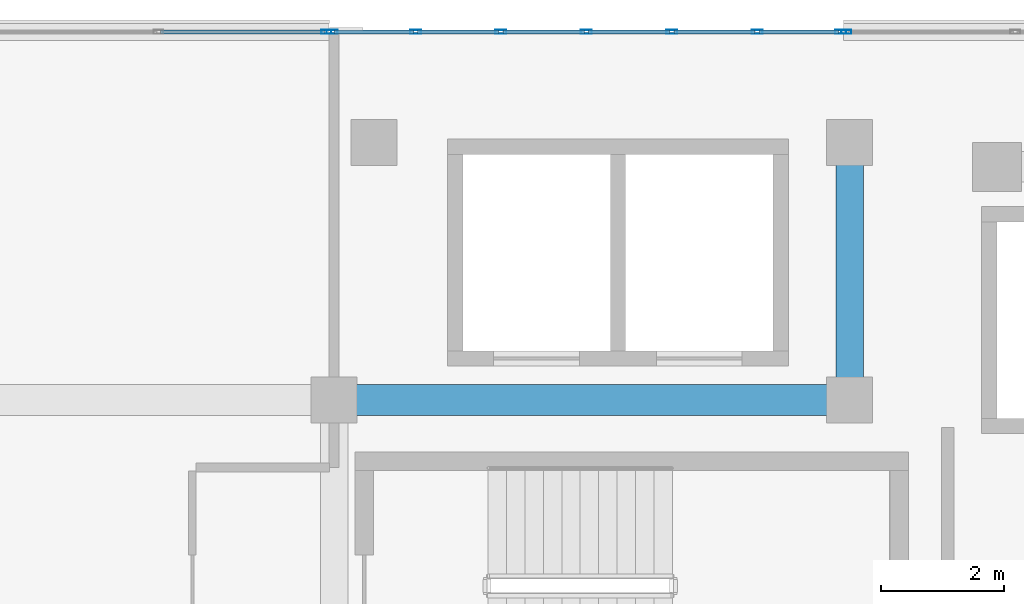
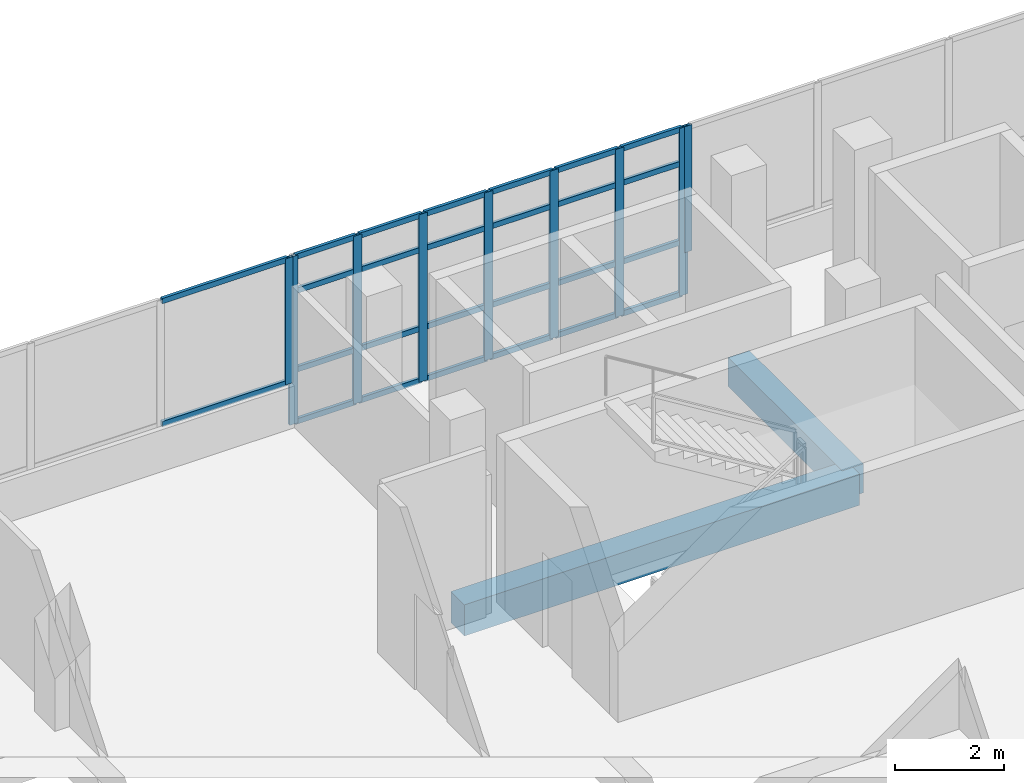
# One storey, part 39 of 101: 35 members, 2 beams, 3 elements without a shape of their own.
"""IFC4 building model written with IfcOpenShell, lengths in metres."""

from ifc_helpers import new_model, si_unit, direction, frame, origin, origin_2d, place, context, subcontext, project, spatial, rectangle, hollow_rectangle, extrude, material, material_profile, profile_set, type_object, element, aggregate, save


model = new_model("IFC4")

# Units and contexts
model_context = context("Model", 3, precision=1e-05, world=origin(), true_north=direction((0.0, 1.0)))
body_context = subcontext(model_context, "Body", "Model", "MODEL_VIEW")
ifc_project = project(units=[si_unit("LENGTHUNIT", "METRE"), si_unit("AREAUNIT", "SQUARE_METRE"), si_unit("VOLUMEUNIT", "CUBIC_METRE"), si_unit("PLANEANGLEUNIT", "RADIAN"), si_unit("MASSUNIT", "GRAM", prefix="KILO")], contexts=[model_context])

# Site, building, storey
site_placement = place(None, origin())
site = spatial("IfcSite", under=ifc_project, at=site_placement, CompositionType="ELEMENT")
building_placement = place(site_placement, origin())
building = spatial("IfcBuilding", under=site, at=building_placement, Name="Selatvlak General Hospital", CompositionType="ELEMENT")
storey_placement = place(building_placement, frame((0.0, 0.0, 19.199951171875)))
storey = spatial("IfcBuildingStorey", under=building, at=storey_placement, Name="L04", CompositionType="ELEMENT", Elevation=19.199951171875)

# Beams
ifc_material_1 = material(Name="Concrete C40/50", Category="concrete")
ifc_material_profile_1 = material_profile(ifc_material_1, rectangle(XDim=0.5, YDim=0.699951171875, at=origin_2d()), Name="RC-BM 500x700")
ifc_profile_set_1 = profile_set([ifc_material_profile_1], Name="Concrete C40/50")
beam_type_1 = type_object("IfcBeamType", Name="BM-G03", PredefinedType="BEAM", material=ifc_profile_set_1)
beam_1_placement = place(storey_placement, frame((48.0, 114.0, -0.655029296875), z_axis=(1.0, 0.0, 0.0), x_axis=(0.0, 1.0, 0.0)))
element("IfcBeam", 1, at=beam_1_placement, inside=storey, type_object=beam_type_1, Name="Beam BMR-L04-1617", PredefinedType="BEAM", context=body_context, shape_type="SweptSolid", body=[
    extrude(rectangle(XDim=0.5, YDim=0.699951171875, at=origin_2d()), origin(), (0.0, 0.0, 1.0), 8.39990234375),
])
ifc_material_profile_2 = material_profile(ifc_material_1, rectangle(XDim=0.449951171875, YDim=0.64990234375, at=origin_2d()), Name="RC-BM 450x650")
ifc_profile_set_2 = profile_set([ifc_material_profile_2], Name="Concrete C40/50")
beam_type_2 = type_object("IfcBeamType", Name="BM-G04", PredefinedType="BEAM", material=ifc_profile_set_2)
beam_2_placement = place(storey_placement, frame((56.39990234375, 114.0, -0.6298828125), z_axis=(0.0, 1.0, 0.0), x_axis=(-1.0, 0.0, 0.0)))
element("IfcBeam", 2, at=beam_2_placement, inside=storey, type_object=beam_type_2, Name="Beam BMR-L04-1666", PredefinedType="BEAM", context=body_context, shape_type="SweptSolid", body=[
    extrude(rectangle(XDim=0.449951171875, YDim=0.64990234375, at=origin_2d()), origin(), (0.0, 0.0, 1.0), 4.199951171875),
])

# Curtain wall, member
ifc_material_2 = material(Name="Solar-control Low-E double glazing", Category="glass")
curtain_wall_type_1 = type_object("IfcCurtainWallType", Name="CW-CW-01", PredefinedType="USERDEFINED", material=ifc_material_2)
curtain_wall_1_placement = place(storey_placement, origin())
curtain_wall_1 = element("IfcCurtainWall", 3, at=curtain_wall_1_placement, inside=storey, type_object=curtain_wall_type_1, Name="Glazed facade curtain wall CW-L04-0483", ObjectType="UNITISED CURTAIN WALL", PredefinedType="USERDEFINED")
ifc_material_3 = material(Name="Dark anodised aluminium mullion", Category="aluminium")
ifc_material_profile_3 = material_profile(ifc_material_3, hollow_rectangle(XDim=0.06494140625, YDim=0.159912109375, WallThickness=0.00390625, at=origin_2d()), Name="AL-MUL 65x160x4")
ifc_profile_set_3 = profile_set([ifc_material_profile_3], Name="Dark anodised aluminium mullion")
member_type_1 = type_object("IfcMemberType", Name="CWM-01", PredefinedType="MULLION", material=ifc_profile_set_3)
member_1_placement = place(storey_placement, frame((47.87255859375, 119.9990234375, 0.93994140625), z_axis=(0.0, 0.0, 1.0), x_axis=(0.0, 1.0, 0.0)))
member_1 = element("IfcMember", 4, at=member_1_placement, type_object=member_type_1, Name="CW-01 mullion 4", PredefinedType="MULLION", context=body_context, shape_type="SweptSolid", body=[
    extrude(hollow_rectangle(XDim=0.06494140625, YDim=0.159912109375, WallThickness=0.00390625, at=origin_2d()), origin(), (0.0, 0.0, 1.0), 2.830078125),
])

curtain_wall_2_placement = place(storey_placement, origin())
curtain_wall_2 = element("IfcCurtainWall", 5, at=curtain_wall_2_placement, inside=storey, type_object=curtain_wall_type_1, Name="Glazed facade curtain wall CW-L04-0485", ObjectType="UNITISED CURTAIN WALL", PredefinedType="USERDEFINED")
member_2_placement = place(storey_placement, frame((56.347412109375, 119.9990234375, 0.93994140625), z_axis=(0.0, 0.0, 1.0), x_axis=(0.0, 1.0, 0.0)))
member_2 = element("IfcMember", 6, at=member_2_placement, type_object=member_type_1, Name="CW-01 mullion 1", PredefinedType="MULLION", context=body_context, shape_type="SweptSolid", body=[
    extrude(hollow_rectangle(XDim=0.06494140625, YDim=0.159912109375, WallThickness=0.00390625, at=origin_2d()), origin(), (0.0, 0.0, 1.0), 2.830078125),
])
aggregate(curtain_wall_2, [member_2])

# Curtain wall, members
curtain_wall_type_2 = type_object("IfcCurtainWallType", Name="CW-CW-04", PredefinedType="USERDEFINED", material=ifc_material_2)
curtain_wall_3_placement = place(storey_placement, origin())
curtain_wall_3 = element("IfcCurtainWall", 7, at=curtain_wall_3_placement, inside=storey, type_object=curtain_wall_type_2, Name="Glazed facade curtain wall CW-L04-0484", ObjectType="STICK GLAZING WALL", PredefinedType="USERDEFINED")
ifc_material_profile_4 = material_profile(ifc_material_3, hollow_rectangle(XDim=0.06494140625, YDim=0.179931640625, WallThickness=0.00439453125, at=origin_2d()), Name="AL-MUL 65x180x4.5")
ifc_profile_set_4 = profile_set([ifc_material_profile_4], Name="Dark anodised aluminium mullion")
member_type_2 = type_object("IfcMemberType", Name="CWM-02", PredefinedType="MULLION", material=ifc_profile_set_4)
member_3_placement = place(storey_placement, frame((47.967529296875, 119.9990234375, 0.0), z_axis=(0.0, 0.0, 1.0), x_axis=(0.0, 1.0, 0.0)))
member_3 = element("IfcMember", 8, at=member_3_placement, type_object=member_type_2, Name="CW-04 mullion 1", PredefinedType="MULLION", context=body_context, shape_type="SweptSolid", body=[
    extrude(hollow_rectangle(XDim=0.06494140625, YDim=0.179931640625, WallThickness=0.00439453125, at=origin_2d()), origin(), (0.0, 0.0, 1.0), 3.77001953125),
])
member_4_placement = place(storey_placement, frame((49.32666015625, 119.9990234375, 0.0), z_axis=(0.0, 0.0, 1.0), x_axis=(0.0, 1.0, 0.0)))
member_4 = element("IfcMember", 9, at=member_4_placement, type_object=member_type_2, Name="CW-04 mullion 2", PredefinedType="MULLION", context=body_context, shape_type="SweptSolid", body=[
    extrude(hollow_rectangle(XDim=0.06494140625, YDim=0.179931640625, WallThickness=0.00439453125, at=origin_2d()), origin(), (0.0, 0.0, 1.0), 3.77001953125),
])
member_5_placement = place(storey_placement, frame((50.71826171875, 119.9990234375, 0.0), z_axis=(0.0, 0.0, 1.0), x_axis=(0.0, 1.0, 0.0)))
member_5 = element("IfcMember", 10, at=member_5_placement, type_object=member_type_2, Name="CW-04 mullion 3", PredefinedType="MULLION", context=body_context, shape_type="SweptSolid", body=[
    extrude(hollow_rectangle(XDim=0.06494140625, YDim=0.179931640625, WallThickness=0.00439453125, at=origin_2d()), origin(), (0.0, 0.0, 1.0), 3.77001953125),
])
member_6_placement = place(storey_placement, frame((52.110107421875, 119.9990234375, 0.0), z_axis=(0.0, 0.0, 1.0), x_axis=(0.0, 1.0, 0.0)))
member_6 = element("IfcMember", 11, at=member_6_placement, type_object=member_type_2, Name="CW-04 mullion 4", PredefinedType="MULLION", context=body_context, shape_type="SweptSolid", body=[
    extrude(hollow_rectangle(XDim=0.06494140625, YDim=0.179931640625, WallThickness=0.00439453125, at=origin_2d()), origin(), (0.0, 0.0, 1.0), 3.77001953125),
])
member_7_placement = place(storey_placement, frame((53.501708984375, 119.9990234375, 0.0), z_axis=(0.0, 0.0, 1.0), x_axis=(0.0, 1.0, 0.0)))
member_7 = element("IfcMember", 12, at=member_7_placement, type_object=member_type_2, Name="CW-04 mullion 5", PredefinedType="MULLION", context=body_context, shape_type="SweptSolid", body=[
    extrude(hollow_rectangle(XDim=0.06494140625, YDim=0.179931640625, WallThickness=0.00439453125, at=origin_2d()), origin(), (0.0, 0.0, 1.0), 3.77001953125),
])
member_8_placement = place(storey_placement, frame((54.893310546875, 119.9990234375, 0.0), z_axis=(0.0, 0.0, 1.0), x_axis=(0.0, 1.0, 0.0)))
member_8 = element("IfcMember", 13, at=member_8_placement, type_object=member_type_2, Name="CW-04 mullion 6", PredefinedType="MULLION", context=body_context, shape_type="SweptSolid", body=[
    extrude(hollow_rectangle(XDim=0.06494140625, YDim=0.179931640625, WallThickness=0.00439453125, at=origin_2d()), origin(), (0.0, 0.0, 1.0), 3.77001953125),
])
member_9_placement = place(storey_placement, frame((56.25244140625, 119.9990234375, 0.0), z_axis=(0.0, 0.0, 1.0), x_axis=(0.0, 1.0, 0.0)))
member_9 = element("IfcMember", 14, at=member_9_placement, type_object=member_type_2, Name="CW-04 mullion 7", PredefinedType="MULLION", context=body_context, shape_type="SweptSolid", body=[
    extrude(hollow_rectangle(XDim=0.06494140625, YDim=0.179931640625, WallThickness=0.00439453125, at=origin_2d()), origin(), (0.0, 0.0, 1.0), 3.77001953125),
])

# Member
ifc_material_profile_5 = material_profile(ifc_material_3, hollow_rectangle(XDim=0.06494140625, YDim=0.1201171875, WallThickness=0.00390625, at=origin_2d()), Name="AL-TRN 65x120x4")
ifc_profile_set_5 = profile_set([ifc_material_profile_5], Name="Dark anodised aluminium mullion")
member_type_3 = type_object("IfcMemberType", Name="CWT-01", PredefinedType="USERDEFINED", material=ifc_profile_set_5)
member_10_placement = place(storey_placement, frame((45.1708984375, 119.9990234375, 0.97265625), z_axis=(1.0, 0.0, 0.0), x_axis=(0.0, 1.0, 0.0)))
member_10 = element("IfcMember", 15, at=member_10_placement, type_object=member_type_3, Name="CW-01 transom 3.1", ObjectType="TRANSOM", PredefinedType="USERDEFINED", context=body_context, shape_type="SweptSolid", body=[
    extrude(hollow_rectangle(XDim=0.06494140625, YDim=0.1201171875, WallThickness=0.00390625, at=origin_2d()), origin(), (0.0, 0.0, 1.0), 2.669189453125),
])

member_11_placement = place(storey_placement, frame((45.1708984375, 119.9990234375, 3.737548828125), z_axis=(1.0, 0.0, 0.0), x_axis=(0.0, 1.0, 0.0)))
member_11 = element("IfcMember", 16, at=member_11_placement, type_object=member_type_3, Name="CW-01 transom 3.2", ObjectType="TRANSOM", PredefinedType="USERDEFINED", context=body_context, shape_type="SweptSolid", body=[
    extrude(hollow_rectangle(XDim=0.06494140625, YDim=0.1201171875, WallThickness=0.00390625, at=origin_2d()), origin(), (0.0, 0.0, 1.0), 2.669189453125),
])

aggregate(curtain_wall_1, [member_1, member_10, member_11])

member_12_placement = place(storey_placement, frame((48.0, 119.9990234375, 0.032470703125), z_axis=(1.0, 0.0, 0.0), x_axis=(0.0, 1.0, 0.0)))
member_12 = element("IfcMember", 17, at=member_12_placement, type_object=member_type_3, Name="CW-04 transom 1.1", ObjectType="TRANSOM", PredefinedType="USERDEFINED", context=body_context, shape_type="SweptSolid", body=[
    extrude(hollow_rectangle(XDim=0.06494140625, YDim=0.1201171875, WallThickness=0.00390625, at=origin_2d()), origin(), (0.0, 0.0, 1.0), 1.294189453125),
])

member_13_placement = place(storey_placement, frame((48.0, 119.9990234375, 1.199951171875), z_axis=(1.0, 0.0, 0.0), x_axis=(0.0, 1.0, 0.0)))
member_13 = element("IfcMember", 18, at=member_13_placement, type_object=member_type_3, Name="CW-04 transom 1.2", ObjectType="TRANSOM", PredefinedType="USERDEFINED", context=body_context, shape_type="SweptSolid", body=[
    extrude(hollow_rectangle(XDim=0.06494140625, YDim=0.1201171875, WallThickness=0.00390625, at=origin_2d()), origin(), (0.0, 0.0, 1.0), 1.294189453125),
])

member_14_placement = place(storey_placement, frame((48.0, 119.9990234375, 2.969970703125), z_axis=(1.0, 0.0, 0.0), x_axis=(0.0, 1.0, 0.0)))
member_14 = element("IfcMember", 19, at=member_14_placement, type_object=member_type_3, Name="CW-04 transom 1.3", ObjectType="TRANSOM", PredefinedType="USERDEFINED", context=body_context, shape_type="SweptSolid", body=[
    extrude(hollow_rectangle(XDim=0.06494140625, YDim=0.1201171875, WallThickness=0.00390625, at=origin_2d()), origin(), (0.0, 0.0, 1.0), 1.294189453125),
])

member_15_placement = place(storey_placement, frame((48.0, 119.9990234375, 3.737548828125), z_axis=(1.0, 0.0, 0.0), x_axis=(0.0, 1.0, 0.0)))
member_15 = element("IfcMember", 20, at=member_15_placement, type_object=member_type_3, Name="CW-04 transom 1.4", ObjectType="TRANSOM", PredefinedType="USERDEFINED", context=body_context, shape_type="SweptSolid", body=[
    extrude(hollow_rectangle(XDim=0.06494140625, YDim=0.1201171875, WallThickness=0.00390625, at=origin_2d()), origin(), (0.0, 0.0, 1.0), 1.294189453125),
])

member_16_placement = place(storey_placement, frame((49.359130859375, 119.9990234375, 0.032470703125), z_axis=(1.0, 0.0, 0.0), x_axis=(0.0, 1.0, 0.0)))
member_16 = element("IfcMember", 21, at=member_16_placement, type_object=member_type_3, Name="CW-04 transom 2.1", ObjectType="TRANSOM", PredefinedType="USERDEFINED", context=body_context, shape_type="SweptSolid", body=[
    extrude(hollow_rectangle(XDim=0.06494140625, YDim=0.1201171875, WallThickness=0.00390625, at=origin_2d()), origin(), (0.0, 0.0, 1.0), 1.32666015625),
])

member_17_placement = place(storey_placement, frame((49.359130859375, 119.9990234375, 1.199951171875), z_axis=(1.0, 0.0, 0.0), x_axis=(0.0, 1.0, 0.0)))
member_17 = element("IfcMember", 22, at=member_17_placement, type_object=member_type_3, Name="CW-04 transom 2.2", ObjectType="TRANSOM", PredefinedType="USERDEFINED", context=body_context, shape_type="SweptSolid", body=[
    extrude(hollow_rectangle(XDim=0.06494140625, YDim=0.1201171875, WallThickness=0.00390625, at=origin_2d()), origin(), (0.0, 0.0, 1.0), 1.32666015625),
])

member_18_placement = place(storey_placement, frame((49.359130859375, 119.9990234375, 2.969970703125), z_axis=(1.0, 0.0, 0.0), x_axis=(0.0, 1.0, 0.0)))
member_18 = element("IfcMember", 23, at=member_18_placement, type_object=member_type_3, Name="CW-04 transom 2.3", ObjectType="TRANSOM", PredefinedType="USERDEFINED", context=body_context, shape_type="SweptSolid", body=[
    extrude(hollow_rectangle(XDim=0.06494140625, YDim=0.1201171875, WallThickness=0.00390625, at=origin_2d()), origin(), (0.0, 0.0, 1.0), 1.32666015625),
])

member_19_placement = place(storey_placement, frame((49.359130859375, 119.9990234375, 3.737548828125), z_axis=(1.0, 0.0, 0.0), x_axis=(0.0, 1.0, 0.0)))
member_19 = element("IfcMember", 24, at=member_19_placement, type_object=member_type_3, Name="CW-04 transom 2.4", ObjectType="TRANSOM", PredefinedType="USERDEFINED", context=body_context, shape_type="SweptSolid", body=[
    extrude(hollow_rectangle(XDim=0.06494140625, YDim=0.1201171875, WallThickness=0.00390625, at=origin_2d()), origin(), (0.0, 0.0, 1.0), 1.32666015625),
])

member_20_placement = place(storey_placement, frame((50.750732421875, 119.9990234375, 0.032470703125), z_axis=(1.0, 0.0, 0.0), x_axis=(0.0, 1.0, 0.0)))
member_20 = element("IfcMember", 25, at=member_20_placement, type_object=member_type_3, Name="CW-04 transom 3.1", ObjectType="TRANSOM", PredefinedType="USERDEFINED", context=body_context, shape_type="SweptSolid", body=[
    extrude(hollow_rectangle(XDim=0.06494140625, YDim=0.1201171875, WallThickness=0.00390625, at=origin_2d()), origin(), (0.0, 0.0, 1.0), 1.32666015625),
])

member_21_placement = place(storey_placement, frame((50.750732421875, 119.9990234375, 1.199951171875), z_axis=(1.0, 0.0, 0.0), x_axis=(0.0, 1.0, 0.0)))
member_21 = element("IfcMember", 26, at=member_21_placement, type_object=member_type_3, Name="CW-04 transom 3.2", ObjectType="TRANSOM", PredefinedType="USERDEFINED", context=body_context, shape_type="SweptSolid", body=[
    extrude(hollow_rectangle(XDim=0.06494140625, YDim=0.1201171875, WallThickness=0.00390625, at=origin_2d()), origin(), (0.0, 0.0, 1.0), 1.32666015625),
])

member_22_placement = place(storey_placement, frame((50.750732421875, 119.9990234375, 2.969970703125), z_axis=(1.0, 0.0, 0.0), x_axis=(0.0, 1.0, 0.0)))
member_22 = element("IfcMember", 27, at=member_22_placement, type_object=member_type_3, Name="CW-04 transom 3.3", ObjectType="TRANSOM", PredefinedType="USERDEFINED", context=body_context, shape_type="SweptSolid", body=[
    extrude(hollow_rectangle(XDim=0.06494140625, YDim=0.1201171875, WallThickness=0.00390625, at=origin_2d()), origin(), (0.0, 0.0, 1.0), 1.32666015625),
])

member_23_placement = place(storey_placement, frame((50.750732421875, 119.9990234375, 3.737548828125), z_axis=(1.0, 0.0, 0.0), x_axis=(0.0, 1.0, 0.0)))
member_23 = element("IfcMember", 28, at=member_23_placement, type_object=member_type_3, Name="CW-04 transom 3.4", ObjectType="TRANSOM", PredefinedType="USERDEFINED", context=body_context, shape_type="SweptSolid", body=[
    extrude(hollow_rectangle(XDim=0.06494140625, YDim=0.1201171875, WallThickness=0.00390625, at=origin_2d()), origin(), (0.0, 0.0, 1.0), 1.32666015625),
])

member_24_placement = place(storey_placement, frame((52.142578125, 119.9990234375, 0.032470703125), z_axis=(1.0, 0.0, 0.0), x_axis=(0.0, 1.0, 0.0)))
member_24 = element("IfcMember", 29, at=member_24_placement, type_object=member_type_3, Name="CW-04 transom 4.1", ObjectType="TRANSOM", PredefinedType="USERDEFINED", context=body_context, shape_type="SweptSolid", body=[
    extrude(hollow_rectangle(XDim=0.06494140625, YDim=0.1201171875, WallThickness=0.00390625, at=origin_2d()), origin(), (0.0, 0.0, 1.0), 1.32666015625),
])

member_25_placement = place(storey_placement, frame((52.142578125, 119.9990234375, 1.199951171875), z_axis=(1.0, 0.0, 0.0), x_axis=(0.0, 1.0, 0.0)))
member_25 = element("IfcMember", 30, at=member_25_placement, type_object=member_type_3, Name="CW-04 transom 4.2", ObjectType="TRANSOM", PredefinedType="USERDEFINED", context=body_context, shape_type="SweptSolid", body=[
    extrude(hollow_rectangle(XDim=0.06494140625, YDim=0.1201171875, WallThickness=0.00390625, at=origin_2d()), origin(), (0.0, 0.0, 1.0), 1.32666015625),
])

member_26_placement = place(storey_placement, frame((52.142578125, 119.9990234375, 2.969970703125), z_axis=(1.0, 0.0, 0.0), x_axis=(0.0, 1.0, 0.0)))
member_26 = element("IfcMember", 31, at=member_26_placement, type_object=member_type_3, Name="CW-04 transom 4.3", ObjectType="TRANSOM", PredefinedType="USERDEFINED", context=body_context, shape_type="SweptSolid", body=[
    extrude(hollow_rectangle(XDim=0.06494140625, YDim=0.1201171875, WallThickness=0.00390625, at=origin_2d()), origin(), (0.0, 0.0, 1.0), 1.32666015625),
])

member_27_placement = place(storey_placement, frame((52.142578125, 119.9990234375, 3.737548828125), z_axis=(1.0, 0.0, 0.0), x_axis=(0.0, 1.0, 0.0)))
member_27 = element("IfcMember", 32, at=member_27_placement, type_object=member_type_3, Name="CW-04 transom 4.4", ObjectType="TRANSOM", PredefinedType="USERDEFINED", context=body_context, shape_type="SweptSolid", body=[
    extrude(hollow_rectangle(XDim=0.06494140625, YDim=0.1201171875, WallThickness=0.00390625, at=origin_2d()), origin(), (0.0, 0.0, 1.0), 1.32666015625),
])

member_28_placement = place(storey_placement, frame((53.5341796875, 119.9990234375, 0.032470703125), z_axis=(1.0, 0.0, 0.0), x_axis=(0.0, 1.0, 0.0)))
member_28 = element("IfcMember", 33, at=member_28_placement, type_object=member_type_3, Name="CW-04 transom 5.1", ObjectType="TRANSOM", PredefinedType="USERDEFINED", context=body_context, shape_type="SweptSolid", body=[
    extrude(hollow_rectangle(XDim=0.06494140625, YDim=0.1201171875, WallThickness=0.00390625, at=origin_2d()), origin(), (0.0, 0.0, 1.0), 1.32666015625),
])

member_29_placement = place(storey_placement, frame((53.5341796875, 119.9990234375, 1.199951171875), z_axis=(1.0, 0.0, 0.0), x_axis=(0.0, 1.0, 0.0)))
member_29 = element("IfcMember", 34, at=member_29_placement, type_object=member_type_3, Name="CW-04 transom 5.2", ObjectType="TRANSOM", PredefinedType="USERDEFINED", context=body_context, shape_type="SweptSolid", body=[
    extrude(hollow_rectangle(XDim=0.06494140625, YDim=0.1201171875, WallThickness=0.00390625, at=origin_2d()), origin(), (0.0, 0.0, 1.0), 1.32666015625),
])

member_30_placement = place(storey_placement, frame((53.5341796875, 119.9990234375, 2.969970703125), z_axis=(1.0, 0.0, 0.0), x_axis=(0.0, 1.0, 0.0)))
member_30 = element("IfcMember", 35, at=member_30_placement, type_object=member_type_3, Name="CW-04 transom 5.3", ObjectType="TRANSOM", PredefinedType="USERDEFINED", context=body_context, shape_type="SweptSolid", body=[
    extrude(hollow_rectangle(XDim=0.06494140625, YDim=0.1201171875, WallThickness=0.00390625, at=origin_2d()), origin(), (0.0, 0.0, 1.0), 1.32666015625),
])

member_31_placement = place(storey_placement, frame((53.5341796875, 119.9990234375, 3.737548828125), z_axis=(1.0, 0.0, 0.0), x_axis=(0.0, 1.0, 0.0)))
member_31 = element("IfcMember", 36, at=member_31_placement, type_object=member_type_3, Name="CW-04 transom 5.4", ObjectType="TRANSOM", PredefinedType="USERDEFINED", context=body_context, shape_type="SweptSolid", body=[
    extrude(hollow_rectangle(XDim=0.06494140625, YDim=0.1201171875, WallThickness=0.00390625, at=origin_2d()), origin(), (0.0, 0.0, 1.0), 1.32666015625),
])

member_32_placement = place(storey_placement, frame((54.92578125, 119.9990234375, 0.032470703125), z_axis=(1.0, 0.0, 0.0), x_axis=(0.0, 1.0, 0.0)))
member_32 = element("IfcMember", 37, at=member_32_placement, type_object=member_type_3, Name="CW-04 transom 6.1", ObjectType="TRANSOM", PredefinedType="USERDEFINED", context=body_context, shape_type="SweptSolid", body=[
    extrude(hollow_rectangle(XDim=0.06494140625, YDim=0.1201171875, WallThickness=0.00390625, at=origin_2d()), origin(), (0.0, 0.0, 1.0), 1.294189453125),
])

member_33_placement = place(storey_placement, frame((54.92578125, 119.9990234375, 1.199951171875), z_axis=(1.0, 0.0, 0.0), x_axis=(0.0, 1.0, 0.0)))
member_33 = element("IfcMember", 38, at=member_33_placement, type_object=member_type_3, Name="CW-04 transom 6.2", ObjectType="TRANSOM", PredefinedType="USERDEFINED", context=body_context, shape_type="SweptSolid", body=[
    extrude(hollow_rectangle(XDim=0.06494140625, YDim=0.1201171875, WallThickness=0.00390625, at=origin_2d()), origin(), (0.0, 0.0, 1.0), 1.294189453125),
])

member_34_placement = place(storey_placement, frame((54.92578125, 119.9990234375, 2.969970703125), z_axis=(1.0, 0.0, 0.0), x_axis=(0.0, 1.0, 0.0)))
member_34 = element("IfcMember", 39, at=member_34_placement, type_object=member_type_3, Name="CW-04 transom 6.3", ObjectType="TRANSOM", PredefinedType="USERDEFINED", context=body_context, shape_type="SweptSolid", body=[
    extrude(hollow_rectangle(XDim=0.06494140625, YDim=0.1201171875, WallThickness=0.00390625, at=origin_2d()), origin(), (0.0, 0.0, 1.0), 1.294189453125),
])

member_35_placement = place(storey_placement, frame((54.92578125, 119.9990234375, 3.737548828125), z_axis=(1.0, 0.0, 0.0), x_axis=(0.0, 1.0, 0.0)))
member_35 = element("IfcMember", 40, at=member_35_placement, type_object=member_type_3, Name="CW-04 transom 6.4", ObjectType="TRANSOM", PredefinedType="USERDEFINED", context=body_context, shape_type="SweptSolid", body=[
    extrude(hollow_rectangle(XDim=0.06494140625, YDim=0.1201171875, WallThickness=0.00390625, at=origin_2d()), origin(), (0.0, 0.0, 1.0), 1.294189453125),
])

aggregate(curtain_wall_3, [member_3, member_4, member_5, member_6, member_7, member_8, member_9, member_12, member_13, member_14, member_15, member_16, member_17, member_18, member_19, member_20, member_21, member_22, member_23, member_24, member_25, member_26, member_27, member_28, member_29, member_30, member_31, member_32, member_33, member_34, member_35])

save(model, "model.ifc")
